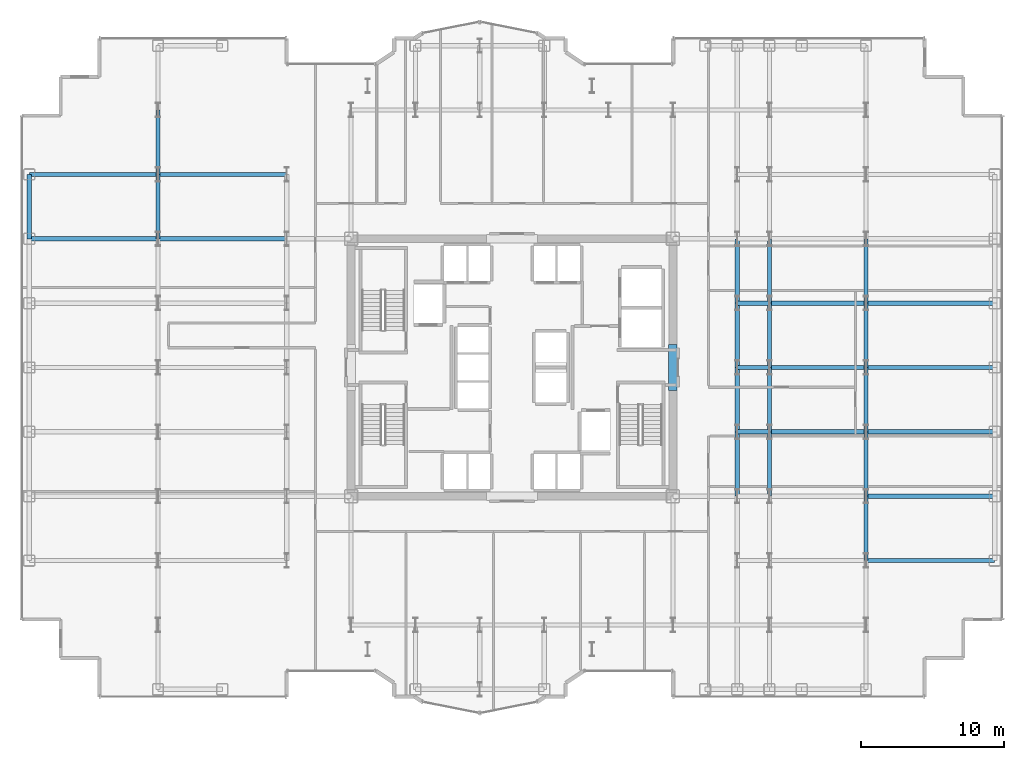
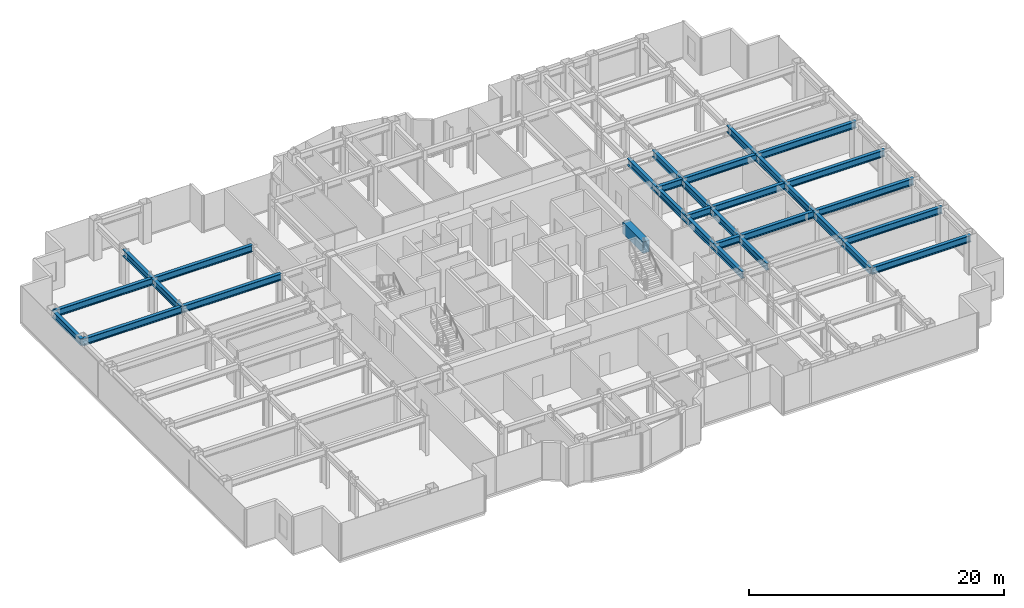
# One storey, part 8 of 26: 32 beams.
"""IFC4 building model written with IfcOpenShell, lengths in metres."""

import ifcopenshell
import ifcopenshell.guid

model = None  # the IFC model being written
_history = None  # IfcOwnerHistory: only IFC2X3 demands one
_inside = {}  # id of a spatial element -> (the spatial element, [elements in it])
_under = {}  # id of a project, library or spatial element -> (it, [spatial elements below it])
_declared = {}  # id of a project -> (the project, [libraries it declares])
_typed = {}  # id of a type object -> (the type object, [elements of that type])
_made_of = {}  # id of a material, layer set ... -> (it, [elements and type objects made of it])


def new_model(schema):
    """Start an empty IFC model of exactly this schema.

    Asked for "IFC4X3", IfcOpenShell would pick the latest addendum, in which some entities
    have other attributes; the version numbers below select the first issue.
    IFC2X3 requires an IfcOwnerHistory on every rooted entity: one is made here for all.
    """
    global model, _history
    if schema == "IFC4X3":
        model = ifcopenshell.file(schema_version=(4, 3, 0, 0))
    else:
        model = ifcopenshell.file(schema=schema)
    _inside.clear()
    _under.clear()
    _declared.clear()
    _typed.clear()
    _made_of.clear()
    _history = None
    if model.schema == "IFC2X3":
        org = make("IfcOrganization", Name="unknown")
        user = make(
            "IfcPersonAndOrganization",
            ThePerson=make("IfcPerson", FamilyName="unknown"),
            TheOrganization=org,
        )
        app = make(
            "IfcApplication",
            ApplicationDeveloper=org,
            Version="unknown",
            ApplicationFullName="unknown",
            ApplicationIdentifier="unknown",
        )
        _history = make(
            "IfcOwnerHistory",
            OwningUser=user,
            OwningApplication=app,
            ChangeAction="ADDED",
            CreationDate=0,
        )
    return model


def make(cls, **values):
    """One entity of the class cls with the attributes given. An attribute that is None is left unset."""
    return model.create_entity(
        cls, **{name: value for name, value in values.items() if value is not None}
    )


def rooted(cls, **values):
    """An entity with a GlobalId (a new one), such as an element, a storey or a relation."""
    return make(cls, GlobalId=ifcopenshell.guid.new(), OwnerHistory=_history, **values)


def si_unit(unit_type, name, prefix=None):
    """IfcSIUnit, for example si_unit("LENGTHUNIT", "METRE", prefix="MILLI")."""
    return make("IfcSIUnit", UnitType=unit_type, Prefix=prefix, Name=name)


def assignment(units):
    """IfcUnitAssignment: the units of a project."""
    return None if units is None else make("IfcUnitAssignment", Units=units)


def point(xyz):
    """IfcCartesianPoint."""
    return None if xyz is None else make("IfcCartesianPoint", Coordinates=xyz)


def direction(xyz):
    """IfcDirection."""
    return None if xyz is None else make("IfcDirection", DirectionRatios=xyz)


def frame(location, z_axis=None, x_axis=None):
    """IfcAxis2Placement3D, a coordinate frame: its origin and axes. An axis left out is left unset."""
    return make(
        "IfcAxis2Placement3D",
        Location=point(location),
        Axis=direction(z_axis),
        RefDirection=direction(x_axis),
    )


def frame_2d(location, x_axis=None):
    """IfcAxis2Placement2D, a coordinate frame in the plane: its origin and x axis."""
    return make(
        "IfcAxis2Placement2D", Location=point(location), RefDirection=direction(x_axis)
    )


def origin():
    """The frame at (0, 0, 0) with its axes left unset."""
    return frame((0.0, 0.0, 0.0))


def origin_2d():
    """The frame at (0, 0) in the plane with its x axis left unset."""
    return frame_2d((0.0, 0.0))


def place(relative_to, where):
    """IfcLocalPlacement: puts the frame where relative to a parent placement (None: the world)."""
    return make(
        "IfcLocalPlacement", PlacementRelTo=relative_to, RelativePlacement=where
    )


def context(
    kind, dimensions, precision=None, world=None, true_north=None, identifier=None
):
    """IfcGeometricRepresentationContext, for example the 3D "Model" context."""
    return make(
        "IfcGeometricRepresentationContext",
        ContextIdentifier=identifier,
        ContextType=kind,
        CoordinateSpaceDimension=dimensions,
        Precision=precision,
        WorldCoordinateSystem=world,
        TrueNorth=true_north,
    )


def subcontext(parent, identifier, kind, view, scale=None):
    """IfcGeometricRepresentationSubContext, for example "Body" below "Model"."""
    return make(
        "IfcGeometricRepresentationSubContext",
        ContextIdentifier=identifier,
        ContextType=kind,
        ParentContext=parent,
        TargetScale=scale,
        TargetView=view,
    )


def project(units=None, contexts=None):
    """IfcProject with its units and contexts."""
    return rooted(
        "IfcProject",
        Name="project",
        RepresentationContexts=contexts,
        UnitsInContext=assignment(units),
    )


def spatial(cls, under=None, at=None, **own):
    """A site, building, storey or space (cls), placed at a placement, below another one or the project."""
    s = rooted(cls, ObjectPlacement=at, **own)
    if under is not None:
        _under.setdefault(under.id(), (under, []))[1].append(s)
    return s


def profile(cls, at=None, kind="AREA", **sizes):
    """A parametric profile (cls). Its sizes go by their IFC names, for example OverallWidth=200.0."""
    return make(cls, ProfileType=kind, Position=at, **sizes)


def rectangle(**sizes):
    """IfcRectangleProfileDef."""
    return profile("IfcRectangleProfileDef", **sizes)


def i_section(**sizes):
    """IfcIShapeProfileDef."""
    return profile("IfcIShapeProfileDef", **sizes)


def extrude(swept, where, along, depth):
    """IfcExtrudedAreaSolid: the profile swept, set in the frame where, extruded along a direction by depth."""
    return make(
        "IfcExtrudedAreaSolid",
        SweptArea=swept,
        Position=where,
        ExtrudedDirection=direction(along),
        Depth=depth,
    )


def shape(context_of_items, identifier, shape_type, items):
    """IfcShapeRepresentation: the items that make up one representation, for example the "Body"."""
    return make(
        "IfcShapeRepresentation",
        ContextOfItems=context_of_items,
        RepresentationIdentifier=identifier,
        RepresentationType=shape_type,
        Items=items,
    )


def source(mapping_origin, context_of_items, identifier, shape_type, items):
    """IfcRepresentationMap: a shape defined once, which mapped items show again and again."""
    return make(
        "IfcRepresentationMap",
        MappingOrigin=mapping_origin,
        MappedRepresentation=shape(context_of_items, identifier, shape_type, items),
    )


def transform(
    local_origin,
    x_axis=None,
    y_axis=None,
    z_axis=None,
    scale=None,
    scale2=None,
    scale3=None,
    uniform=True,
):
    """IfcCartesianTransformationOperator3D, or its non-uniform kind. x_axis, y_axis, z_axis: its Axis1, 2, 3."""
    if uniform:
        return make(
            "IfcCartesianTransformationOperator3D",
            Axis1=direction(x_axis),
            Axis2=direction(y_axis),
            LocalOrigin=point(local_origin),
            Scale=scale,
            Axis3=direction(z_axis),
        )
    return make(
        "IfcCartesianTransformationOperator3DnonUniform",
        Axis1=direction(x_axis),
        Axis2=direction(y_axis),
        LocalOrigin=point(local_origin),
        Scale=scale,
        Axis3=direction(z_axis),
        Scale2=scale2,
        Scale3=scale3,
    )


def mapped(mapping_source, mapping_target):
    """IfcMappedItem: shows the shape of a source again, moved by a transform."""
    return make(
        "IfcMappedItem", MappingSource=mapping_source, MappingTarget=mapping_target
    )


def material(Name=None, Category=None):
    """IfcMaterial."""
    return make("IfcMaterial", Name=Name, Category=Category)


def material_profile(
    of_material, cross_section, Name=None, Category=None, Priority=None
):
    """IfcMaterialProfile: a cross section and its material."""
    return make(
        "IfcMaterialProfile",
        Name=Name,
        Material=of_material,
        Profile=cross_section,
        Priority=Priority,
        Category=Category,
    )


def profile_set(profiles, Name=None, composite=None):
    """IfcMaterialProfileSet."""
    return make(
        "IfcMaterialProfileSet",
        Name=Name,
        MaterialProfiles=profiles,
        CompositeProfile=composite,
    )


def made_of(thing, what):
    """Note that an element or type object is made of a material, layer set ...; save() writes the relation."""
    if what is not None:
        _made_of.setdefault(what.id(), (what, []))[1].append(thing)
    return thing


def type_object(cls, material=None, **own):
    """A type object (cls), such as IfcWallType, which elements share."""
    return made_of(rooted(cls, **own), material)


def element(
    cls,
    number,
    at=None,
    inside=None,
    cuts=None,
    type_object=None,
    material=None,
    context=None,
    identifier="Body",
    shape_type=None,
    held_by="IfcProductDefinitionShape",
    body=None,
    shapes=None,
    **own,
):
    """One element of the class cls, such as IfcWall. Its Tag is "e" and its number.

    at: its placement. inside: the storey or other place that contains it. cuts: it is an
    opening in that element (IfcRelVoidsElement). A single representation is given by context,
    identifier, shape_type and body (its items); several are given by shapes. held_by: the class
    of the entity that holds the representations. save() writes the other relations.
    """
    e = rooted(cls, Tag="e%d" % number, ObjectPlacement=at, **own)
    if body is not None:
        shapes = [shape(context, identifier, shape_type, body)]
    if shapes is not None:
        e.Representation = make(held_by, Representations=shapes)
    if inside is not None:
        _inside.setdefault(inside.id(), (inside, []))[1].append(e)
    if cuts is not None:
        rooted(
            "IfcRelVoidsElement", RelatingBuildingElement=cuts, RelatedOpeningElement=e
        )
    if type_object is not None:
        _typed.setdefault(type_object.id(), (type_object, []))[1].append(e)
    return made_of(e, material)


def aggregate(whole, parts):
    """IfcRelAggregates: a whole, such as a stair, and the parts it consists of."""
    return rooted("IfcRelAggregates", RelatingObject=whole, RelatedObjects=parts)


def save(model, path):
    """Write the relations noted so far, then the file.

    IfcRelAggregates (storeys below a building ...), IfcRelContainedInSpatialStructure (elements
    in a storey), IfcRelDefinesByType, IfcRelAssociatesMaterial and IfcRelDeclares: one each for
    every whole, place, type object, material and project.
    """
    for whole, parts in _under.values():
        aggregate(whole, parts)
    for where, things in _inside.values():
        rooted(
            "IfcRelContainedInSpatialStructure",
            RelatedElements=things,
            RelatingStructure=where,
        )
    for kind, things in _typed.values():
        rooted("IfcRelDefinesByType", RelatedObjects=things, RelatingType=kind)
    for what, things in _made_of.values():
        rooted("IfcRelAssociatesMaterial", RelatedObjects=things, RelatingMaterial=what)
    for by, libraries in _declared.values():
        rooted("IfcRelDeclares", RelatingContext=by, RelatedDefinitions=libraries)
    model.write(path)


model = new_model("IFC4")

# Units and contexts
model_context = context("Model", 3, precision=1e-05, world=origin(), true_north=direction((0.0, 1.0)))
body_context = subcontext(model_context, "Body", "Model", "MODEL_VIEW")
ifc_project = project(units=[si_unit("LENGTHUNIT", "METRE"), si_unit("AREAUNIT", "SQUARE_METRE"), si_unit("VOLUMEUNIT", "CUBIC_METRE"), si_unit("PLANEANGLEUNIT", "RADIAN"), si_unit("MASSUNIT", "GRAM", prefix="KILO")], contexts=[model_context])

# Site, building, storey
site_placement = place(None, origin())
site = spatial("IfcSite", under=ifc_project, at=site_placement, CompositionType="ELEMENT")
building_placement = place(site_placement, origin())
building = spatial("IfcBuilding", under=site, at=building_placement, Name="Nefas-Gora Pilgrimage Tower", CompositionType="ELEMENT")
storey_placement = place(building_placement, frame((0.0, 0.0, 128.800048828125)))
storey = spatial("IfcBuildingStorey", under=building, at=storey_placement, Name="L31", CompositionType="ELEMENT", Elevation=128.800048828125)

# Beams
ifc_material_1 = material(Name="Concrete C60/75", Category="concrete")
ifc_material_profile_1 = material_profile(ifc_material_1, rectangle(XDim=0.60009765625, YDim=1.10009765625, at=origin_2d()), Name="RC 600x1100")
ifc_profile_set_1 = profile_set([ifc_material_profile_1], Name="Concrete C60/75")
beam_type_1 = type_object("IfcBeamType", Name="BM-LIN-RC1100", PredefinedType="LINTEL", material=ifc_profile_set_1)
shared_shape_1 = source(origin(), body_context, "Body", "SweptSolid", [
    extrude(rectangle(XDim=0.60009765625, YDim=1.10009765625, at=origin_2d()), origin(), (0.0, 0.0, 1.0), 3.2001953125),
])
beam_1_placement = place(storey_placement, frame((11.25, -1.60009765625, 3.0), z_axis=(0.0, 1.0, 0.0), x_axis=(-1.0, 0.0, 0.0)))
element("IfcBeam", 1, at=beam_1_placement, inside=storey, type_object=beam_type_1, Name="L31 Core Coupling Lintel Beam E", PredefinedType="LINTEL", context=body_context, shape_type="MappedRepresentation", body=[
    mapped(shared_shape_1, transform((0.0, 0.0, 0.0), x_axis=(1.0, 0.0, 0.0), y_axis=(0.0, 1.0, 0.0), z_axis=(0.0, 0.0, 1.0), scale=1.0)),
])
ifc_material_2 = material(Name="Steel S355", Category="steel")
ifc_material_profile_2 = material_profile(ifc_material_2, i_section(OverallWidth=0.300048828125, OverallDepth=0.64990234375, WebThickness=0.01611328125, FlangeThickness=0.031005859375, FilletRadius=0.027099609375, at=origin_2d()), Name="HEB 650")
ifc_profile_set_2 = profile_set([ifc_material_profile_2], Name="Steel S355")
beam_type_2 = type_object("IfcBeamType", Name="BM-SPN-HEB500", PredefinedType="SPANDREL", material=ifc_profile_set_2)
shared_shape_2 = source(origin(), body_context, "Body", "SweptSolid", [
    extrude(i_section(OverallWidth=0.300048828125, OverallDepth=0.64990234375, WebThickness=0.01611328125, FlangeThickness=0.031005859375, FilletRadius=0.027099609375, at=origin_2d()), origin(), (0.0, 0.0, 1.0), 4.5),
])
beam_2_placement = place(storey_placement, frame((-33.75, 9.0, 3.224853515625), z_axis=(0.0, 1.0, 0.0), x_axis=(-1.0, 0.0, 0.0)))
element("IfcBeam", 2, at=beam_2_placement, inside=storey, type_object=beam_type_2, Name="L31 SP-02 beam", PredefinedType="SPANDREL", context=body_context, shape_type="MappedRepresentation", body=[
    mapped(shared_shape_2, transform((0.0, 0.0, 0.0), x_axis=(1.0, 0.0, 0.0), y_axis=(0.0, 1.0, 0.0), z_axis=(0.0, 0.0, 1.0), scale=1.0)),
])
ifc_material_profile_3 = material_profile(ifc_material_2, i_section(OverallWidth=0.300048828125, OverallDepth=0.64990234375, WebThickness=0.01611328125, FlangeThickness=0.031005859375, FilletRadius=0.027099609375, at=origin_2d()), Name="HEB 650")
ifc_profile_set_3 = profile_set([ifc_material_profile_3], Name="Steel S355")
beam_type_3 = type_object("IfcBeamType", Name="BM-GIR-HEB650", PredefinedType="BEAM", material=ifc_profile_set_3)
shared_shape_3 = source(origin(), body_context, "Body", "SweptSolid", [
    extrude(i_section(OverallWidth=0.300048828125, OverallDepth=0.64990234375, WebThickness=0.01611328125, FlangeThickness=0.031005859375, FilletRadius=0.027099609375, at=origin_2d()), origin(), (0.0, 0.0, 1.0), 9.0),
])
for number, where, z_axis, x_axis, name in (
    (3, (-33.75, 9.0, 3.224853515625), (1.0, 0.0, 0.0), (0.0, 1.0, 0.0), "L31 G-03 beam"),
    (4, (-33.75, 13.5, 3.224853515625), (1.0, 0.0, 0.0), (0.0, 1.0, 0.0), "L31 G-03 beam"),
    (5, (-24.75, 9.0, 3.224853515625), (1.0, 0.0, 0.0), (0.0, 1.0, 0.0), "L31 G-03 beam"),
    (6, (-24.75, 13.5, 3.224853515625), (1.0, 0.0, 0.0), (0.0, 1.0, 0.0), "L31 G-03 beam"),
    (7, (24.75, -13.5, 3.224853515625), (1.0, 0.0, 0.0), (0.0, 1.0, 0.0), "L31 G-03 beam"),
    (8, (24.75, -9.0, 3.224853515625), (1.0, 0.0, 0.0), (0.0, 1.0, 0.0), "L31 G-03 beam"),
    (9, (24.75, -4.5, 3.224853515625), (1.0, 0.0, 0.0), (0.0, 1.0, 0.0), "L31 G-03 beam"),
    (10, (24.75, 0.0, 3.224853515625), (1.0, 0.0, 0.0), (0.0, 1.0, 0.0), "L31 G-03 beam"),
    (11, (24.75, 4.5, 3.224853515625), (1.0, 0.0, 0.0), (0.0, 1.0, 0.0), "L31 G-03 beam"),
):
    element("IfcBeam", number, at=place(storey_placement, frame(where, z_axis=z_axis, x_axis=x_axis)), inside=storey, type_object=beam_type_3, Name=name, PredefinedType="BEAM", context=body_context, shape_type="MappedRepresentation", body=[
        mapped(shared_shape_3, transform((0.0, 0.0, 0.0), x_axis=(1.0, 0.0, 0.0), y_axis=(0.0, 1.0, 0.0), z_axis=(0.0, 0.0, 1.0), scale=1.0)),
    ])
shared_shape_4 = source(origin(), body_context, "Body", "SweptSolid", [
    extrude(i_section(OverallWidth=0.300048828125, OverallDepth=0.64990234375, WebThickness=0.01611328125, FlangeThickness=0.031005859375, FilletRadius=0.027099609375, at=origin_2d()), origin(), (0.0, 0.0, 1.0), 4.5),
])
for number, where, z_axis, x_axis, name in (
    (12, (-24.75, 9.0, 3.224853515625), (0.0, 1.0, 0.0), (-1.0, 0.0, 0.0), "L31 G-03 beam"),
    (13, (-24.75, 13.5, 3.224853515625), (0.0, 1.0, 0.0), (-1.0, 0.0, 0.0), "L31 G-03 beam"),
    (14, (15.75, -9.0, 3.224853515625), (0.0, 1.0, 0.0), (-1.0, 0.0, 0.0), "L31 G-03 beam"),
    (15, (15.75, -4.5, 3.224853515625), (0.0, 1.0, 0.0), (-1.0, 0.0, 0.0), "L31 G-03 beam"),
    (16, (15.75, 0.0, 3.224853515625), (0.0, 1.0, 0.0), (-1.0, 0.0, 0.0), "L31 G-03 beam"),
    (17, (15.75, 4.5, 3.224853515625), (0.0, 1.0, 0.0), (-1.0, 0.0, 0.0), "L31 G-03 beam"),
    (18, (18.0, -9.0, 3.224853515625), (0.0, 1.0, 0.0), (-1.0, 0.0, 0.0), "L31 G-03 beam"),
    (19, (18.0, -4.5, 3.224853515625), (0.0, 1.0, 0.0), (-1.0, 0.0, 0.0), "L31 G-03 beam"),
    (20, (18.0, 0.0, 3.224853515625), (0.0, 1.0, 0.0), (-1.0, 0.0, 0.0), "L31 G-03 beam"),
    (21, (18.0, 4.5, 3.224853515625), (0.0, 1.0, 0.0), (-1.0, 0.0, 0.0), "L31 G-03 beam"),
    (22, (24.75, -13.5, 3.224853515625), (0.0, 1.0, 0.0), (-1.0, 0.0, 0.0), "L31 G-03 beam"),
    (23, (24.75, -9.0, 3.224853515625), (0.0, 1.0, 0.0), (-1.0, 0.0, 0.0), "L31 G-03 beam"),
    (24, (24.75, -4.5, 3.224853515625), (0.0, 1.0, 0.0), (-1.0, 0.0, 0.0), "L31 G-03 beam"),
    (25, (24.75, 0.0, 3.224853515625), (0.0, 1.0, 0.0), (-1.0, 0.0, 0.0), "L31 G-03 beam"),
    (26, (24.75, 4.5, 3.224853515625), (0.0, 1.0, 0.0), (-1.0, 0.0, 0.0), "L31 G-03 beam"),
):
    element("IfcBeam", number, at=place(storey_placement, frame(where, z_axis=z_axis, x_axis=x_axis)), inside=storey, type_object=beam_type_3, Name=name, PredefinedType="BEAM", context=body_context, shape_type="MappedRepresentation", body=[
        mapped(shared_shape_4, transform((0.0, 0.0, 0.0), x_axis=(1.0, 0.0, 0.0), y_axis=(0.0, 1.0, 0.0), z_axis=(0.0, 0.0, 1.0), scale=1.0)),
    ])
shared_shape_5 = source(origin(), body_context, "Body", "SweptSolid", [
    extrude(i_section(OverallWidth=0.300048828125, OverallDepth=0.64990234375, WebThickness=0.01611328125, FlangeThickness=0.031005859375, FilletRadius=0.027099609375, at=origin_2d()), origin(), (0.0, 0.0, 1.0), 6.75),
])
for number, where, z_axis, x_axis, name in (
    (27, (18.0, -4.5, 3.224853515625), (1.0, 0.0, 0.0), (0.0, 1.0, 0.0), "L31 G-03 beam"),
    (28, (18.0, 0.0, 3.224853515625), (1.0, 0.0, 0.0), (0.0, 1.0, 0.0), "L31 G-03 beam"),
    (29, (18.0, 4.5, 3.224853515625), (1.0, 0.0, 0.0), (0.0, 1.0, 0.0), "L31 G-03 beam"),
):
    element("IfcBeam", number, at=place(storey_placement, frame(where, z_axis=z_axis, x_axis=x_axis)), inside=storey, type_object=beam_type_3, Name=name, PredefinedType="BEAM", context=body_context, shape_type="MappedRepresentation", body=[
        mapped(shared_shape_5, transform((0.0, 0.0, 0.0), x_axis=(1.0, 0.0, 0.0), y_axis=(0.0, 1.0, 0.0), z_axis=(0.0, 0.0, 1.0), scale=1.0)),
    ])
shared_shape_6 = source(origin(), body_context, "Body", "SweptSolid", [
    extrude(i_section(OverallWidth=0.300048828125, OverallDepth=0.64990234375, WebThickness=0.01611328125, FlangeThickness=0.031005859375, FilletRadius=0.027099609375, at=origin_2d()), origin(), (0.0, 0.0, 1.0), 2.25),
])
for number, where, z_axis, x_axis, name in (
    (30, (15.75, -4.5, 3.224853515625), (1.0, 0.0, 0.0), (0.0, 1.0, 0.0), "L31 G-03 beam"),
    (31, (15.75, 0.0, 3.224853515625), (1.0, 0.0, 0.0), (0.0, 1.0, 0.0), "L31 G-03 beam"),
    (32, (15.75, 4.5, 3.224853515625), (1.0, 0.0, 0.0), (0.0, 1.0, 0.0), "L31 G-03 beam"),
):
    element("IfcBeam", number, at=place(storey_placement, frame(where, z_axis=z_axis, x_axis=x_axis)), inside=storey, type_object=beam_type_3, Name=name, PredefinedType="BEAM", context=body_context, shape_type="MappedRepresentation", body=[
        mapped(shared_shape_6, transform((0.0, 0.0, 0.0), x_axis=(1.0, 0.0, 0.0), y_axis=(0.0, 1.0, 0.0), z_axis=(0.0, 0.0, 1.0), scale=1.0)),
    ])

save(model, "model.ifc")
